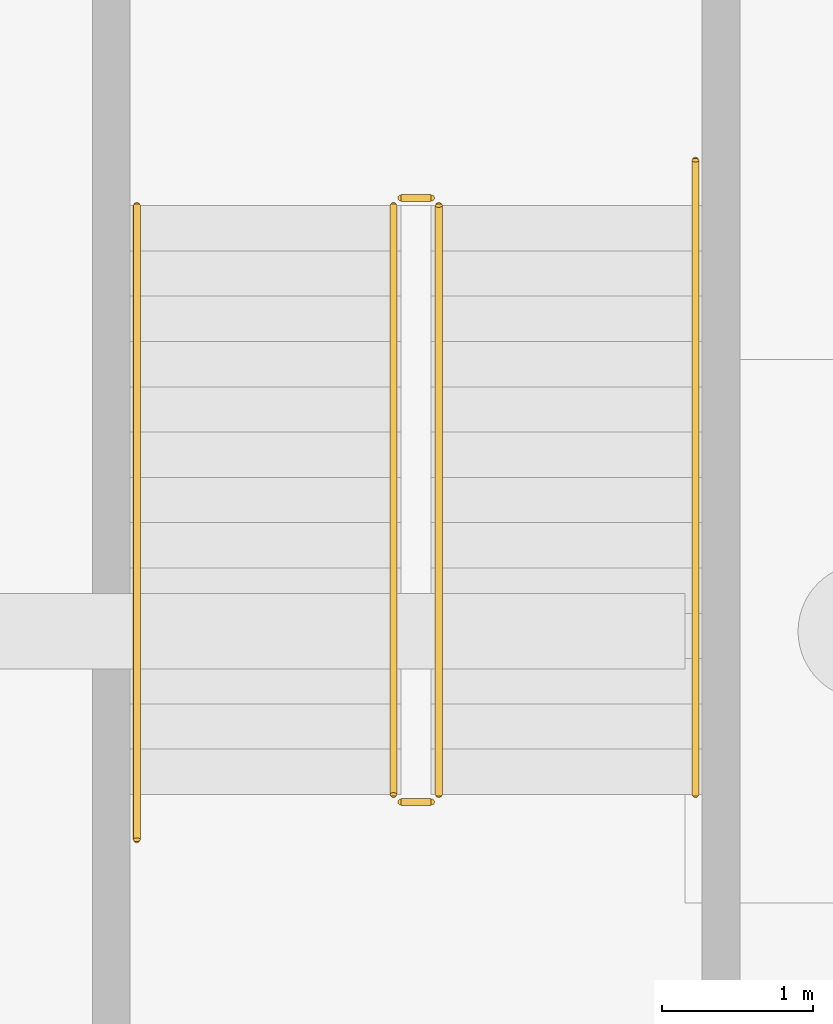
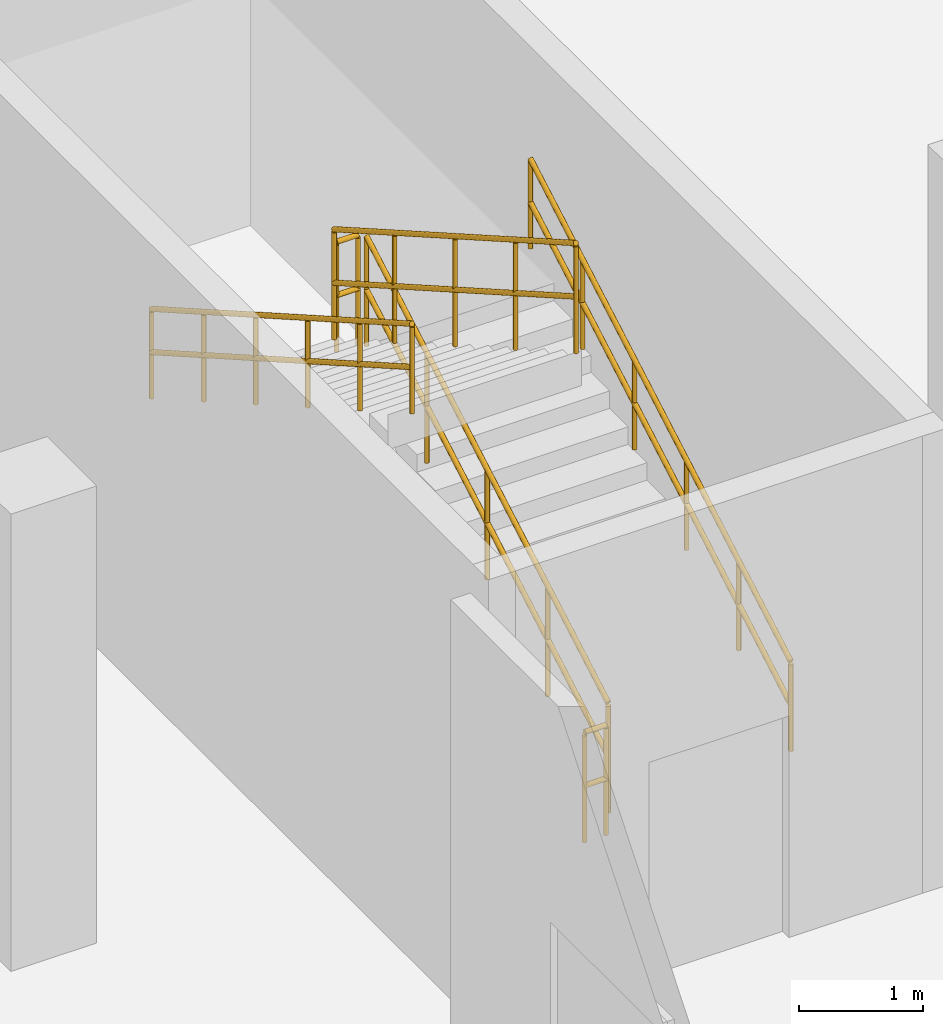
# One storey, part 39 of 40: 6 railings.
"""IFC4 building model written with IfcOpenShell, lengths in metres."""

from ifc_helpers import new_model, si_unit, direction, frame, origin, origin_2d, place, context, subcontext, project, spatial, circle, extrude, material, type_object, element, save


model = new_model("IFC4")

# Units and contexts
model_context = context("Model", 3, precision=1e-05, world=origin(), true_north=direction((0.0, 1.0)))
body_context = subcontext(model_context, "Body", "Model", "MODEL_VIEW")
ifc_project = project(units=[si_unit("LENGTHUNIT", "METRE"), si_unit("AREAUNIT", "SQUARE_METRE"), si_unit("VOLUMEUNIT", "CUBIC_METRE"), si_unit("PLANEANGLEUNIT", "RADIAN"), si_unit("MASSUNIT", "GRAM", prefix="KILO")], contexts=[model_context])

# Site, building, storey
site_placement = place(None, origin())
site = spatial("IfcSite", under=ifc_project, at=site_placement, CompositionType="ELEMENT")
building_placement = place(site_placement, origin())
building = spatial("IfcBuilding", under=site, at=building_placement, Name="Marnock Terrace Opera House", CompositionType="ELEMENT")
storey_placement = place(building_placement, frame((0.0, 0.0, -4.800048828125)))
storey = spatial("IfcBuildingStorey", under=building, at=storey_placement, Name="B1", CompositionType="ELEMENT", Elevation=-4.800048828125)

# Railings
ifc_material = material(Name="Architectural bronze balustrade")
railing_type_1 = type_object("IfcRailingType", Name="RL-GUARD-1100", PredefinedType="GUARDRAIL", material=ifc_material)
railing_1_placement = place(storey_placement, frame((140.77001953125, 73.919921875, 0.17138671875)))
element("IfcRailing", 1, at=railing_1_placement, inside=storey, type_object=railing_type_1, Name="B1 ST-08 stair guard 1", PredefinedType="GUARDRAIL", context=body_context, shape_type="SweptSolid", body=[
    extrude(circle(Radius=0.02392578125, at=origin_2d()), frame((0.0, 0.0, 1.076171875), z_axis=(0.0, 0.868233108195, 0.496156497321), x_axis=(-1.0, 0.0, 0.0)), (0.0, 0.0, 1.0), 4.491943359375),
    extrude(circle(Radius=0.02392578125, at=origin_2d()), frame((0.0, 0.0, 0.550048828125), z_axis=(0.0, 0.868233108195, 0.496156497321), x_axis=(-1.0, 0.0, 0.0)), (0.0, 0.0, 1.0), 4.491943359375),
    extrude(circle(Radius=0.02099609375, at=origin_2d()), origin(), (0.0, 0.0, 1.0), 1.052001953125),
    extrude(circle(Radius=0.02099609375, at=origin_2d()), frame((0.0, 0.97509765625, 0.55712890625)), (0.0, 0.0, 1.0), 1.052001953125),
    extrude(circle(Radius=0.02099609375, at=origin_2d()), frame((0.0, 1.9501953125, 1.1142578125)), (0.0, 0.0, 1.0), 1.052001953125),
    extrude(circle(Radius=0.02099609375, at=origin_2d()), frame((0.0, 2.925048828125, 1.671630859375)), (0.0, 0.0, 1.0), 1.052001953125),
    extrude(circle(Radius=0.02099609375, at=origin_2d()), frame((0.0, 3.900146484375, 2.228759765625)), (0.0, 0.0, 1.0), 1.052001953125),
])
railing_2_placement = place(storey_placement, frame((140.719970703125, 77.8701171875, 2.400146484375)))
element("IfcRailing", 2, at=railing_2_placement, inside=storey, type_object=railing_type_1, Name="B1 ST-08 stair guard 2", PredefinedType="GUARDRAIL", context=body_context, shape_type="SweptSolid", body=[
    extrude(circle(Radius=0.02392578125, at=origin_2d()), frame((0.0, 0.0, 1.076171875), z_axis=(-1.0, 0.0, 0.0), x_axis=(0.0, -1.0, 0.0)), (0.0, 0.0, 1.0), 0.199951171875),
    extrude(circle(Radius=0.02392578125, at=origin_2d()), frame((0.0, 0.0, 0.550048828125), z_axis=(-1.0, 0.0, 0.0), x_axis=(0.0, -1.0, 0.0)), (0.0, 0.0, 1.0), 0.199951171875),
    extrude(circle(Radius=0.02099609375, at=origin_2d()), origin(), (0.0, 0.0, 1.0), 1.052001953125),
    extrude(circle(Radius=0.02099609375, at=origin_2d()), frame((-0.199951171875, 0.0, 0.0)), (0.0, 0.0, 1.0), 1.052001953125),
])
railing_3_placement = place(storey_placement, frame((140.469970703125, 77.820068359375, 2.571533203125)))
element("IfcRailing", 3, at=railing_3_placement, inside=storey, type_object=railing_type_1, Name="B1 ST-08 stair guard 3", PredefinedType="GUARDRAIL", context=body_context, shape_type="SweptSolid", body=[
    extrude(circle(Radius=0.02392578125, at=origin_2d()), frame((0.0, 0.0, 1.076171875), z_axis=(0.0, -0.868256520506, 0.496115525457), x_axis=(1.0, 0.0, 0.0)), (0.0, 0.0, 1.0), 4.491943359375),
    extrude(circle(Radius=0.02392578125, at=origin_2d()), frame((0.0, 0.0, 0.550048828125), z_axis=(0.0, -0.868256520506, 0.496115525457), x_axis=(1.0, 0.0, 0.0)), (0.0, 0.0, 1.0), 4.491943359375),
    extrude(circle(Radius=0.02099609375, at=origin_2d()), origin(), (0.0, 0.0, 1.0), 1.052001953125),
    extrude(circle(Radius=0.02099609375, at=origin_2d()), frame((0.0, -0.97509765625, 0.55712890625)), (0.0, 0.0, 1.0), 1.052001953125),
    extrude(circle(Radius=0.02099609375, at=origin_2d()), frame((0.0, -1.9501953125, 1.1142578125)), (0.0, 0.0, 1.0), 1.052001953125),
    extrude(circle(Radius=0.02099609375, at=origin_2d()), frame((0.0, -2.925048828125, 1.67138671875)), (0.0, 0.0, 1.0), 1.052001953125),
    extrude(circle(Radius=0.02099609375, at=origin_2d()), frame((0.0, -3.900146484375, 2.228515625)), (0.0, 0.0, 1.0), 1.052001953125),
])
railing_4_placement = place(storey_placement, frame((140.719970703125, 73.8701171875, 0.0)))
element("IfcRailing", 4, at=railing_4_placement, inside=storey, type_object=railing_type_1, Name="B1 ST-08 stair guard 4", PredefinedType="GUARDRAIL", context=body_context, shape_type="SweptSolid", body=[
    extrude(circle(Radius=0.02392578125, at=origin_2d()), frame((0.0, 0.0, 1.076171875), z_axis=(-1.0, 0.0, 0.0), x_axis=(0.0, -1.0, 0.0)), (0.0, 0.0, 1.0), 0.199951171875),
    extrude(circle(Radius=0.02392578125, at=origin_2d()), frame((0.0, 0.0, 0.550048828125), z_axis=(-1.0, 0.0, 0.0), x_axis=(0.0, -1.0, 0.0)), (0.0, 0.0, 1.0), 0.199951171875),
    extrude(circle(Radius=0.02099609375, at=origin_2d()), origin(), (0.0, 0.0, 1.0), 1.052001953125),
    extrude(circle(Radius=0.02099609375, at=origin_2d()), frame((-0.199951171875, 0.0, 0.0)), (0.0, 0.0, 1.0), 1.052001953125),
])
railing_type_2 = type_object("IfcRailingType", Name="RL-HAND-900", PredefinedType="HANDRAIL", material=ifc_material)
railing_5_placement = place(storey_placement, frame((142.469970703125, 73.919921875, 0.18359375)))
element("IfcRailing", 5, at=railing_5_placement, inside=storey, type_object=railing_type_2, Name="B1 ST-08 stair handrail 1", PredefinedType="HANDRAIL", context=body_context, shape_type="SweptSolid", body=[
    extrude(circle(Radius=0.02392578125, at=origin_2d()), frame((0.0, 0.0, 0.8759765625), z_axis=(0.0, 0.868261776072, 0.496106327528), x_axis=(-1.0, 0.0, 0.0)), (0.0, 0.0, 1.0), 4.83740234375),
    extrude(circle(Radius=0.02392578125, at=origin_2d()), frame((0.0, 0.0, 0.449951171875), z_axis=(0.0, 0.868261776072, 0.496106327528), x_axis=(-1.0, 0.0, 0.0)), (0.0, 0.0, 1.0), 4.83740234375),
    extrude(circle(Radius=0.02099609375, at=origin_2d()), origin(), (0.0, 0.0, 1.0), 0.851806640625),
    extrude(circle(Radius=0.02099609375, at=origin_2d()), frame((0.0, 0.840087890625, 0.47998046875)), (0.0, 0.0, 1.0), 0.851806640625),
    extrude(circle(Radius=0.02099609375, at=origin_2d()), frame((0.0, 1.68017578125, 0.9599609375)), (0.0, 0.0, 1.0), 0.851806640625),
    extrude(circle(Radius=0.02099609375, at=origin_2d()), frame((0.0, 2.52001953125, 1.43994140625)), (0.0, 0.0, 1.0), 0.851806640625),
    extrude(circle(Radius=0.02099609375, at=origin_2d()), frame((0.0, 3.360107421875, 1.919921875)), (0.0, 0.0, 1.0), 0.851806640625),
    extrude(circle(Radius=0.02099609375, at=origin_2d()), frame((0.0, 4.2001953125, 2.39990234375)), (0.0, 0.0, 1.0), 0.851806640625),
])
railing_6_placement = place(storey_placement, frame((138.77001953125, 77.820068359375, 2.58349609375)))
element("IfcRailing", 6, at=railing_6_placement, inside=storey, type_object=railing_type_2, Name="B1 ST-08 stair handrail 2", PredefinedType="HANDRAIL", context=body_context, shape_type="SweptSolid", body=[
    extrude(circle(Radius=0.02392578125, at=origin_2d()), frame((0.0, 0.0, 0.8759765625), z_axis=(0.0, -0.868249353848, 0.496128067682), x_axis=(1.0, 0.0, 0.0)), (0.0, 0.0, 1.0), 4.837158203125),
    extrude(circle(Radius=0.02392578125, at=origin_2d()), frame((0.0, 0.0, 0.449951171875), z_axis=(0.0, -0.868249353848, 0.496128067682), x_axis=(1.0, 0.0, 0.0)), (0.0, 0.0, 1.0), 4.837158203125),
    extrude(circle(Radius=0.02099609375, at=origin_2d()), origin(), (0.0, 0.0, 1.0), 0.851806640625),
    extrude(circle(Radius=0.02099609375, at=origin_2d()), frame((0.0, -0.840087890625, 0.47998046875)), (0.0, 0.0, 1.0), 0.851806640625),
    extrude(circle(Radius=0.02099609375, at=origin_2d()), frame((0.0, -1.679931640625, 0.9599609375)), (0.0, 0.0, 1.0), 0.851806640625),
    extrude(circle(Radius=0.02099609375, at=origin_2d()), frame((0.0, -2.52001953125, 1.43994140625)), (0.0, 0.0, 1.0), 0.851806640625),
    extrude(circle(Radius=0.02099609375, at=origin_2d()), frame((0.0, -3.35986328125, 1.919921875)), (0.0, 0.0, 1.0), 0.851806640625),
    extrude(circle(Radius=0.02099609375, at=origin_2d()), frame((0.0, -4.199951171875, 2.39990234375)), (0.0, 0.0, 1.0), 0.851806640625),
])

save(model, "model.ifc")
